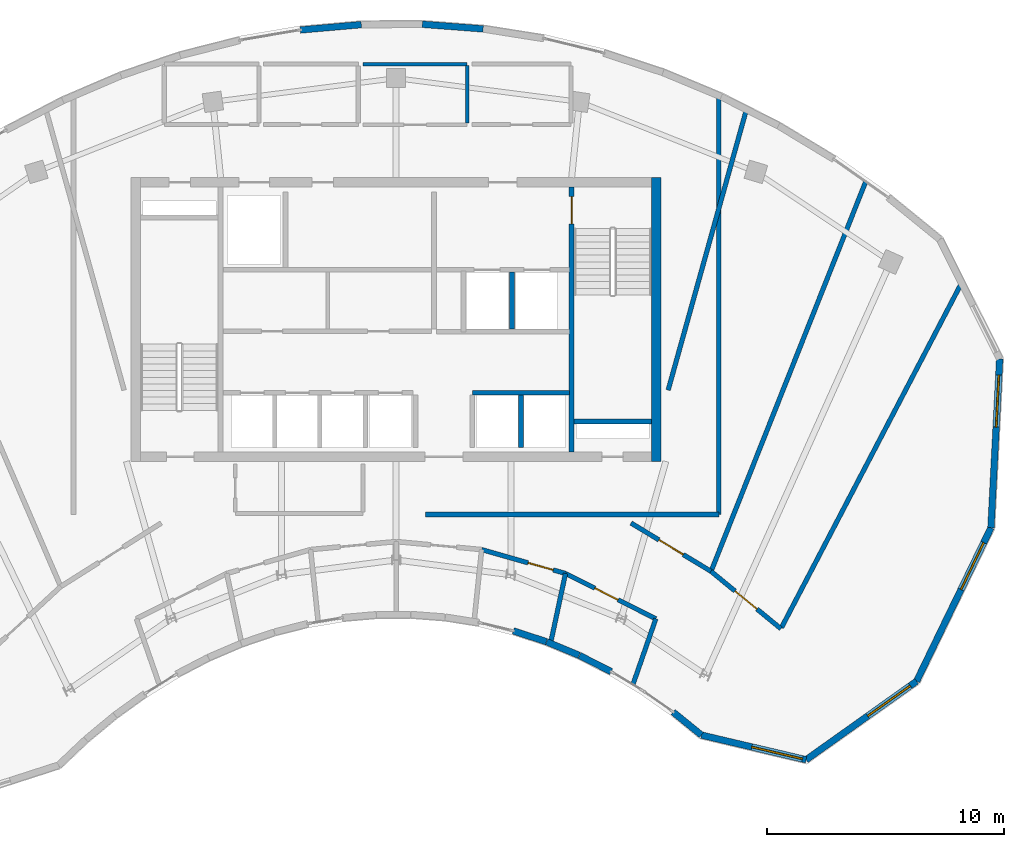
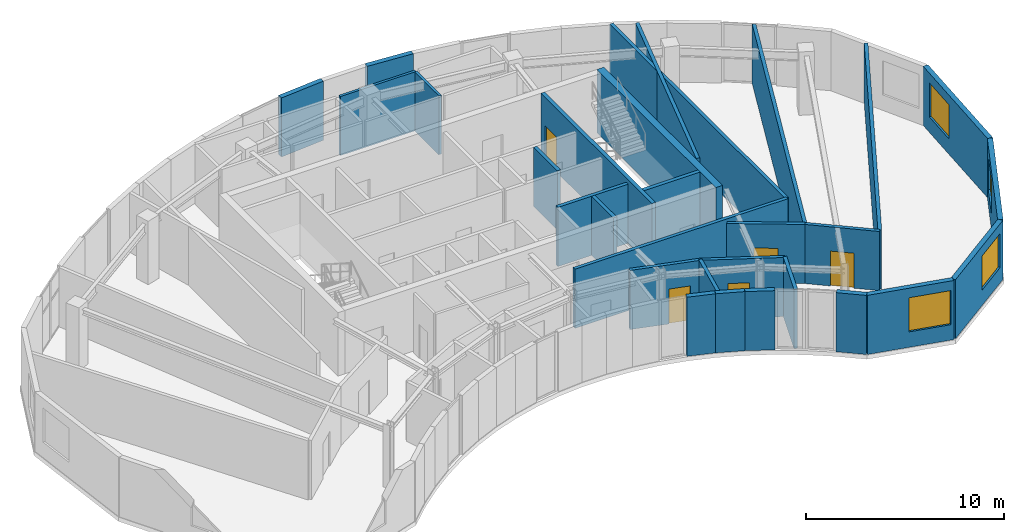
# One storey, part 7 of 9: 29 walls, 5 doors, 4 windows, 9 openings.
"""IFC4 building model written with IfcOpenShell, lengths in metres."""

from ifc_helpers import new_model, si_unit, direction, frame, frame_2d, origin, place, context, subcontext, project, spatial, rectangle, extrude, source, transform, mapped, material, layer, layer_set, type_object, type_shapes, element, fill, save


model = new_model("IFC4")

# Units and contexts
model_context = context("Model", 3, precision=1e-05, world=origin(), true_north=direction((0.0, 1.0)))
body_context = subcontext(model_context, "Body", "Model", "MODEL_VIEW")
ifc_project = project(units=[si_unit("LENGTHUNIT", "METRE"), si_unit("AREAUNIT", "SQUARE_METRE"), si_unit("VOLUMEUNIT", "CUBIC_METRE"), si_unit("PLANEANGLEUNIT", "RADIAN"), si_unit("MASSUNIT", "GRAM", prefix="KILO")], contexts=[model_context])

# Site, building, storey
site_placement = place(None, origin())
site = spatial("IfcSite", under=ifc_project, at=site_placement, CompositionType="ELEMENT")
building_placement = place(site_placement, origin())
building = spatial("IfcBuilding", under=site, at=building_placement, Name="Breltana Convention Tower", CompositionType="ELEMENT")
storey_placement = place(building_placement, frame((0.0, 0.0, 283.5)))
storey = spatial("IfcBuildingStorey", under=building, at=storey_placement, Name="L69", CompositionType="ELEMENT", Elevation=283.5)

# Walls
ifc_material_1 = material(Name="Concrete C50/60", Category="concrete")
ifc_layer_1 = layer(ifc_material_1, 0.39990234375, Name="Concrete C50/60")
ifc_layer_set_1 = layer_set([ifc_layer_1], Name="Concrete C50/60")
wall_type_1 = type_object("IfcWallType", Name="SW-CORE-400", PredefinedType="SHEAR", material=ifc_layer_set_1)
shared_shape_1 = source(origin(), body_context, "Body", "SweptSolid", [
    extrude(rectangle(XDim=3.27001953125, YDim=0.219970703125, at=frame_2d((1.635009765625, 0.0))), origin(), (0.0, 0.0, 1.0), 3.89990234375),
])
wall_1_placement = place(storey_placement, frame((55.530029296875, 61.889892578125, 0.0), z_axis=(0.0, 0.0, 1.0), x_axis=(1.0, 0.0, 0.0)))
element("IfcWall", 1, at=wall_1_placement, inside=storey, type_object=wall_type_1, Name="L69 ST-2 Stairwell South Bearing Wall", PredefinedType="SHEAR", context=body_context, shape_type="MappedRepresentation", body=[
    mapped(shared_shape_1, transform((0.0, 0.0, 0.0), scale=1.0)),
])
shared_shape_2 = source(origin(), body_context, "Body", "SweptSolid", [
    extrude(rectangle(XDim=12.0, YDim=0.39990234375, at=frame_2d((6.0, 0.0))), origin(), (0.0, 0.0, 1.0), 3.89990234375),
])
wall_2_placement = place(storey_placement, frame((59.0, 60.199951171875, 0.0), z_axis=(0.0, 0.0, 1.0), x_axis=(0.0, 1.0, 0.0)))
element("IfcWall", 2, at=wall_2_placement, inside=storey, type_object=wall_type_1, Name="L69 East Core Shear Wall", PredefinedType="SHEAR", context=body_context, shape_type="MappedRepresentation", body=[
    mapped(shared_shape_2, transform((0.0, 0.0, 0.0), scale=1.0)),
])

# Wall, opening, door
shared_shape_3 = source(origin(), body_context, "Body", "SweptSolid", [
    extrude(rectangle(XDim=11.199951171875, YDim=0.219970703125, at=frame_2d((5.60009765625, 0.0))), origin(), (0.0, 0.0, 1.0), 3.89990234375),
])
wall_3_placement = place(storey_placement, frame((55.419921875, 60.60009765625, 0.0), z_axis=(0.0, 0.0, 1.0), x_axis=(0.0, 1.0, 0.0)))
wall_3 = element("IfcWall", 3, at=wall_3_placement, inside=storey, type_object=wall_type_1, Name="L69 Core East Stair Spine Wall", PredefinedType="SHEAR", context=body_context, shape_type="MappedRepresentation", body=[
    mapped(shared_shape_3, transform((0.0, 0.0, 0.0), scale=1.0)),
])
opening_1_placement = place(wall_3_placement, frame((9.64501953125, 0.0, 0.0)))
opening_1 = element("IfcOpeningElement", 4, at=opening_1_placement, cuts=wall_3, Name="Opening D-11", PredefinedType="OPENING", context=body_context, shape_type="SweptSolid", body=[
    extrude(rectangle(XDim=1.14990234375, YDim=2.14990234375, at=frame_2d((0.574951171875, 1.074951171875))), frame((0.0, 0.1201171875, 0.0), z_axis=(0.0, -1.0, 0.0), x_axis=(1.0, 0.0, 0.0)), (0.0, 0.0, 1.0), 0.239990234375),
])
ifc_material_2 = material(Name="Steel Stair Exit Door", Category="steel")
door_type_1 = type_object("IfcDoorType", Name="DR-FD120-1150", OperationType="NOTDEFINED", PredefinedType="DOOR", material=ifc_material_2)
shared_shape_4 = source(origin(), body_context, "Body", "SweptSolid", [
    extrude(rectangle(XDim=1.14990234375, YDim=2.14990234375, at=frame_2d((0.574951171875, 1.074951171875))), frame((0.0, 0.02490234375, 0.0), z_axis=(0.0, -1.0, 0.0), x_axis=(1.0, 0.0, 0.0)), (0.0, 0.0, 1.0), 0.050048828125),
])
type_shapes(door_type_1, [shared_shape_4])
door_1_placement = place(opening_1_placement, origin())
door_1 = element("IfcDoor", 5, at=door_1_placement, inside=storey, type_object=door_type_1, Name="L69 interior door D-L69-ST2", OperationType="SINGLE_SWING_LEFT", OverallHeight=2.14990234375, OverallWidth=1.14990234375, PredefinedType="DOOR", context=body_context, shape_type="MappedRepresentation", body=[
    mapped(shared_shape_4, transform((0.0, 0.0, 0.0), scale=1.0)),
])
fill(opening_1, door_1)

# Wall, opening, window
ifc_material_3 = material(Name="Limestone Buff Insulated Wall", Category="masonry")
ifc_layer_2 = layer(ifc_material_3, 0.280029296875, Name="Limestone Buff Insulated Wall")
ifc_layer_set_2 = layer_set([ifc_layer_2], Name="Limestone Buff Insulated Wall")
wall_type_2 = type_object("IfcWallType", Name="WL-EXT-NOSE-280", PredefinedType="SOLIDWALL", material=ifc_layer_set_2)
shared_shape_5 = source(origin(), body_context, "Body", "SweptSolid", [
    extrude(rectangle(XDim=7.151123046875, YDim=0.280029296875, at=frame_2d((3.57568359375, 0.0))), origin(), (0.0, 0.0, 1.0), 3.639892578125),
])
wall_4_placement = place(storey_placement, frame((73.516357421875, 64.540283203125, 0.0), z_axis=(0.0, 0.0, 1.0), x_axis=(-0.051449614265, -0.998675591567, 0.0)))
wall_4 = element("IfcWall", 6, at=wall_4_placement, inside=storey, type_object=wall_type_2, Name="L69 curved limestone nose wall E2", PredefinedType="SOLIDWALL", context=body_context, shape_type="MappedRepresentation", body=[
    mapped(shared_shape_5, transform((0.0, 0.0, 0.0), scale=1.0)),
])
opening_2_placement = place(wall_4_placement, frame((0.687744140625, 0.0, 0.949951171875)))
opening_2 = element("IfcOpeningElement", 7, at=opening_2_placement, cuts=wall_4, Name="Opening W-03", PredefinedType="OPENING", context=body_context, shape_type="SweptSolid", body=[
    extrude(rectangle(XDim=2.199951171875, YDim=2.10009765625, at=frame_2d((1.10009765625, 1.050048828125))), frame((0.0, 0.14990234375, 0.0), z_axis=(0.0, -1.0, 0.0), x_axis=(1.0, 0.0, 0.0)), (0.0, 0.0, 1.0), 0.300048828125),
])
ifc_material_4 = material(Name="Glass Low-E Insulated Window", Category="glass")
window_type = type_object("IfcWindowType", Name="WN-NOSE-2200X2100", PartitioningType="TRIPLE_PANEL_VERTICAL", PredefinedType="WINDOW", material=ifc_material_4)
shared_shape_6 = source(origin(), body_context, "Body", "SweptSolid", [
    extrude(rectangle(XDim=2.199951171875, YDim=2.10009765625, at=frame_2d((1.10009765625, 1.050048828125))), frame((0.0, 0.030029296875, 0.0), z_axis=(0.0, -1.0, 0.0), x_axis=(1.0, 0.0, 0.0)), (0.0, 0.0, 1.0), 0.06005859375),
])
type_shapes(window_type, [shared_shape_6])
window_1_placement = place(opening_2_placement, origin())
window_1 = element("IfcWindow", 8, at=window_1_placement, inside=storey, type_object=window_type, Name="L69 nose window E2", OverallHeight=2.10009765625, OverallWidth=2.199951171875, PartitioningType="TRIPLE_PANEL_VERTICAL", PredefinedType="WINDOW", context=body_context, shape_type="MappedRepresentation", body=[
    mapped(shared_shape_6, transform((0.0, 0.0, 0.0), scale=1.0)),
])
fill(opening_2, window_1)

shared_shape_7 = source(origin(), body_context, "Body", "SweptSolid", [
    extrude(rectangle(XDim=7.21142578125, YDim=0.280029296875, at=frame_2d((3.605712890625, 0.0))), origin(), (0.0, 0.0, 1.0), 3.639892578125),
])
wall_5_placement = place(storey_placement, frame((73.1484375, 57.398681640625, 0.0), z_axis=(0.0, 0.0, 1.0), x_axis=(-0.436088263006, -0.899903898685, 0.0)))
wall_5 = element("IfcWall", 9, at=wall_5_placement, inside=storey, type_object=wall_type_2, Name="L69 curved limestone nose wall E3", PredefinedType="SOLIDWALL", context=body_context, shape_type="MappedRepresentation", body=[
    mapped(shared_shape_7, transform((0.0, 0.0, 0.0), scale=1.0)),
])
opening_3_placement = place(wall_5_placement, frame((0.702880859375, 0.0, 0.949951171875)))
opening_3 = element("IfcOpeningElement", 10, at=opening_3_placement, cuts=wall_5, Name="Opening W-03", PredefinedType="OPENING", context=body_context, shape_type="SweptSolid", body=[
    extrude(rectangle(XDim=2.199951171875, YDim=2.10009765625, at=frame_2d((1.10009765625, 1.050048828125))), frame((0.0, 0.14990234375, 0.0), z_axis=(0.0, -1.0, 0.0), x_axis=(1.0, 0.0, 0.0)), (0.0, 0.0, 1.0), 0.300048828125),
])
window_2_placement = place(opening_3_placement, origin())
window_2 = element("IfcWindow", 11, at=window_2_placement, inside=storey, type_object=window_type, Name="L69 nose window E3", OverallHeight=2.10009765625, OverallWidth=2.199951171875, PartitioningType="TRIPLE_PANEL_VERTICAL", PredefinedType="WINDOW", context=body_context, shape_type="MappedRepresentation", body=[
    mapped(shared_shape_6, transform((0.0, 0.0, 0.0), scale=1.0)),
])
fill(opening_3, window_2)

shared_shape_8 = source(origin(), body_context, "Body", "SweptSolid", [
    extrude(rectangle(XDim=5.730712890625, YDim=0.280029296875, at=frame_2d((2.865234375, 0.0))), origin(), (0.0, 0.0, 1.0), 3.639892578125),
])
wall_6_placement = place(storey_placement, frame((70.003662109375, 50.9091796875, 0.0), z_axis=(0.0, 0.0, 1.0), x_axis=(-0.815021045908, -0.579431354629, 0.0)))
wall_6 = element("IfcWall", 12, at=wall_6_placement, inside=storey, type_object=wall_type_2, Name="L69 curved limestone nose wall E4", PredefinedType="SOLIDWALL", context=body_context, shape_type="MappedRepresentation", body=[
    mapped(shared_shape_8, transform((0.0, 0.0, 0.0), scale=1.0)),
])
opening_4_placement = place(wall_6_placement, frame((0.332763671875, 0.0, 0.949951171875)))
opening_4 = element("IfcOpeningElement", 13, at=opening_4_placement, cuts=wall_6, Name="Opening W-03", PredefinedType="OPENING", context=body_context, shape_type="SweptSolid", body=[
    extrude(rectangle(XDim=2.199951171875, YDim=2.10009765625, at=frame_2d((1.10009765625, 1.050048828125))), frame((0.0, 0.14990234375, 0.0), z_axis=(0.0, -1.0, 0.0), x_axis=(1.0, 0.0, 0.0)), (0.0, 0.0, 1.0), 0.300048828125),
])
window_3_placement = place(opening_4_placement, origin())
window_3 = element("IfcWindow", 14, at=window_3_placement, inside=storey, type_object=window_type, Name="L69 nose window E4", OverallHeight=2.10009765625, OverallWidth=2.199951171875, PartitioningType="TRIPLE_PANEL_VERTICAL", PredefinedType="WINDOW", context=body_context, shape_type="MappedRepresentation", body=[
    mapped(shared_shape_6, transform((0.0, 0.0, 0.0), scale=1.0)),
])
fill(opening_4, window_3)

shared_shape_9 = source(origin(), body_context, "Body", "SweptSolid", [
    extrude(rectangle(XDim=4.546630859375, YDim=0.280029296875, at=frame_2d((2.2734375, 0.0))), origin(), (0.0, 0.0, 1.0), 3.639892578125),
])
wall_7_placement = place(storey_placement, frame((65.3330078125, 47.588623046875, 0.0), z_axis=(0.0, 0.0, 1.0), x_axis=(-0.973332593516, 0.229398479505, 0.0)))
wall_7 = element("IfcWall", 15, at=wall_7_placement, inside=storey, type_object=wall_type_2, Name="L69 curved limestone nose wall E5", PredefinedType="SOLIDWALL", context=body_context, shape_type="MappedRepresentation", body=[
    mapped(shared_shape_9, transform((0.0, 0.0, 0.0), scale=1.0)),
])
opening_5_placement = place(wall_7_placement, frame((0.159912109375, 0.0, 0.949951171875)))
opening_5 = element("IfcOpeningElement", 16, at=opening_5_placement, cuts=wall_7, Name="Opening W-03", PredefinedType="OPENING", context=body_context, shape_type="SweptSolid", body=[
    extrude(rectangle(XDim=2.199951171875, YDim=2.10009765625, at=frame_2d((1.10009765625, 1.050048828125))), frame((0.0, 0.14990234375, 0.0), z_axis=(0.0, -1.0, 0.0), x_axis=(1.0, 0.0, 0.0)), (0.0, 0.0, 1.0), 0.300048828125),
])
window_4_placement = place(opening_5_placement, origin())
window_4 = element("IfcWindow", 17, at=window_4_placement, inside=storey, type_object=window_type, Name="L69 nose window E5", OverallHeight=2.10009765625, OverallWidth=2.199951171875, PartitioningType="TRIPLE_PANEL_VERTICAL", PredefinedType="WINDOW", context=body_context, shape_type="MappedRepresentation", body=[
    mapped(shared_shape_6, transform((0.0, 0.0, 0.0), scale=1.0)),
])
fill(opening_5, window_4)

# Walls
shared_shape_10 = source(origin(), body_context, "Body", "SweptSolid", [
    extrude(rectangle(XDim=1.54345703125, YDim=0.280029296875, at=frame_2d((0.771728515625, 0.0))), origin(), (0.0, 0.0, 1.0), 3.639892578125),
])
wall_8_placement = place(storey_placement, frame((60.90771484375, 48.631591796875, 0.0), z_axis=(0.0, 0.0, 1.0), x_axis=(-0.77582846857, 0.63094388606, 0.0)))
element("IfcWall", 18, at=wall_8_placement, inside=storey, type_object=wall_type_2, Name="L69 curved limestone nose wall E6", PredefinedType="SOLIDWALL", context=body_context, shape_type="MappedRepresentation", body=[
    mapped(shared_shape_10, transform((0.0, 0.0, 0.0), scale=1.0)),
])
shared_shape_11 = source(origin(), body_context, "Body", "SweptSolid", [
    extrude(rectangle(XDim=1.508544921875, YDim=0.280029296875, at=frame_2d((0.75439453125, 0.0))), origin(), (0.0, 0.0, 1.0), 3.639892578125),
])
wall_9_placement = place(storey_placement, frame((57.09375, 51.3154296875, 0.0), z_axis=(0.0, 0.0, 1.0), x_axis=(-0.89169189228, 0.452642871635, 0.0)))
element("IfcWall", 19, at=wall_9_placement, inside=storey, type_object=wall_type_2, Name="L69 curved limestone nose wall E7", PredefinedType="SOLIDWALL", context=body_context, shape_type="MappedRepresentation", body=[
    mapped(shared_shape_11, transform((0.0, 0.0, 0.0), scale=1.0)),
])
shared_shape_12 = source(origin(), body_context, "Body", "SweptSolid", [
    extrude(rectangle(XDim=1.48779296875, YDim=0.280029296875, at=frame_2d((0.743896484375, 0.0))), origin(), (0.0, 0.0, 1.0), 3.639892578125),
])
wall_10_placement = place(storey_placement, frame((55.736328125, 52.00390625, 0.0), z_axis=(0.0, 0.0, 1.0), x_axis=(-0.923261314935, 0.384172545017, 0.0)))
element("IfcWall", 20, at=wall_10_placement, inside=storey, type_object=wall_type_2, Name="L69 curved limestone nose wall E8", PredefinedType="SOLIDWALL", context=body_context, shape_type="MappedRepresentation", body=[
    mapped(shared_shape_12, transform((0.0, 0.0, 0.0), scale=1.0)),
])
shared_shape_13 = source(origin(), body_context, "Body", "SweptSolid", [
    extrude(rectangle(XDim=1.470458984375, YDim=0.280029296875, at=frame_2d((0.7353515625, 0.0))), origin(), (0.0, 0.0, 1.0), 3.639892578125),
])
wall_11_placement = place(storey_placement, frame((54.349609375, 52.580322265625, 0.0), z_axis=(0.0, 0.0, 1.0), x_axis=(-0.950248878954, 0.311491682145, 0.0)))
element("IfcWall", 21, at=wall_11_placement, inside=storey, type_object=wall_type_2, Name="L69 curved limestone nose wall E9", PredefinedType="SOLIDWALL", context=body_context, shape_type="MappedRepresentation", body=[
    mapped(shared_shape_13, transform((0.0, 0.0, 0.0), scale=1.0)),
])
shared_shape_14 = source(origin(), body_context, "Body", "SweptSolid", [
    extrude(rectangle(XDim=2.58251953125, YDim=0.280029296875, at=frame_2d((1.291259765625, 0.0))), origin(), (0.0, 0.0, 1.0), 3.639892578125),
])
wall_12_placement = place(storey_placement, frame((43.954345703125, 78.4423828125, 0.0), z_axis=(0.0, 0.0, 1.0), x_axis=(0.996168946569, 0.087449584851, 0.0)))
element("IfcWall", 22, at=wall_12_placement, inside=storey, type_object=wall_type_2, Name="L69 curved limestone nose wall E25", PredefinedType="SOLIDWALL", context=body_context, shape_type="MappedRepresentation", body=[
    mapped(shared_shape_14, transform((0.0, 0.0, 0.0), scale=1.0)),
])
shared_shape_15 = source(origin(), body_context, "Body", "SweptSolid", [
    extrude(rectangle(XDim=2.581298828125, YDim=0.280029296875, at=frame_2d((1.29052734375, 0.0))), origin(), (0.0, 0.0, 1.0), 3.639892578125),
])
wall_13_placement = place(storey_placement, frame((49.10498046875, 78.68359375, 0.0), z_axis=(0.0, 0.0, 1.0), x_axis=(0.997111514352, -0.075951484161, 0.0)))
element("IfcWall", 23, at=wall_13_placement, inside=storey, type_object=wall_type_2, Name="L69 curved limestone nose wall E27", PredefinedType="SOLIDWALL", context=body_context, shape_type="MappedRepresentation", body=[
    mapped(shared_shape_15, transform((0.0, 0.0, 0.0), scale=1.0)),
])
ifc_material_5 = material(Name="Autoclaved Aerated Concrete Block", Category="concrete")
ifc_layer_3 = layer(ifc_material_5, 0.199951171875, Name="Autoclaved Aerated Concrete Block")
ifc_layer_set_3 = layer_set([ifc_layer_3], Name="Autoclaved Aerated Concrete Block")
wall_type_3 = type_object("IfcWallType", Name="WL-SHAFT-200", PredefinedType="SOLIDWALL", material=ifc_layer_set_3)
shared_shape_16 = source(origin(), body_context, "Body", "SweptSolid", [
    extrude(rectangle(XDim=2.39990234375, YDim=0.199951171875, at=frame_2d((1.199951171875, 0.0))), origin(), (0.0, 0.0, 1.0), 3.639892578125),
])
wall_14_placement = place(storey_placement, frame((52.89990234375, 65.800048828125, 0.0), z_axis=(0.0, 0.0, 1.0), x_axis=(0.0, 1.0, 0.0)))
element("IfcWall", 24, at=wall_14_placement, inside=storey, type_object=wall_type_3, Name="L69 interior partition W-L69-FL-DIV", PredefinedType="SOLIDWALL", context=body_context, shape_type="MappedRepresentation", body=[
    mapped(shared_shape_16, transform((0.0, 0.0, 0.0), scale=1.0)),
])
shared_shape_17 = source(origin(), body_context, "Body", "SweptSolid", [
    extrude(rectangle(XDim=4.10009765625, YDim=0.199951171875, at=frame_2d((2.050048828125, 0.0))), origin(), (0.0, 0.0, 1.0), 3.639892578125),
])
wall_15_placement = place(storey_placement, frame((51.219970703125, 63.10009765625, 0.0), z_axis=(0.0, 0.0, 1.0), x_axis=(1.0, 0.0, 0.0)))
element("IfcWall", 25, at=wall_15_placement, inside=storey, type_object=wall_type_3, Name="L69 interior partition W-L69-SH-X-FRONT", PredefinedType="SOLIDWALL", context=body_context, shape_type="MappedRepresentation", body=[
    mapped(shared_shape_17, transform((0.0, 0.0, 0.0), scale=1.0)),
])
shared_shape_18 = source(origin(), body_context, "Body", "SweptSolid", [
    extrude(rectangle(XDim=2.199951171875, YDim=0.199951171875, at=frame_2d((1.10009765625, 0.0))), origin(), (0.0, 0.0, 1.0), 3.639892578125),
])
wall_16_placement = place(storey_placement, frame((53.280029296875, 60.800048828125, 0.0), z_axis=(0.0, 0.0, 1.0), x_axis=(0.0, 1.0, 0.0)))
element("IfcWall", 26, at=wall_16_placement, inside=storey, type_object=wall_type_3, Name="L69 interior partition W-L69-SH-X-DIV", PredefinedType="SOLIDWALL", context=body_context, shape_type="MappedRepresentation", body=[
    mapped(shared_shape_18, transform((0.0, 0.0, 0.0), scale=1.0)),
])
ifc_material_6 = material(Name="Gypsum Acoustic Drywall Partition")
ifc_layer_4 = layer(ifc_material_6, 0.14990234375, Name="Gypsum Acoustic Drywall Partition")
ifc_layer_set_4 = layer_set([ifc_layer_4], Name="Gypsum Acoustic Drywall Partition")
wall_type_4 = type_object("IfcWallType", Name="WL-PART-150", PredefinedType="PARTITIONING", material=ifc_layer_set_4)
shared_shape_19 = source(origin(), body_context, "Body", "SweptSolid", [
    extrude(rectangle(XDim=4.39990234375, YDim=0.14990234375, at=frame_2d((2.199951171875, 0.0))), origin(), (0.0, 0.0, 1.0), 3.639892578125),
])
wall_17_placement = place(storey_placement, frame((46.60009765625, 77.0, 0.0), z_axis=(0.0, 0.0, 1.0), x_axis=(1.0, 0.0, 0.0)))
element("IfcWall", 27, at=wall_17_placement, inside=storey, type_object=wall_type_4, Name="L69 interior partition W-L69-PNT-N", PredefinedType="PARTITIONING", context=body_context, shape_type="MappedRepresentation", body=[
    mapped(shared_shape_19, transform((0.0, 0.0, 0.0), scale=1.0)),
])
shared_shape_20 = source(origin(), body_context, "Body", "SweptSolid", [
    extrude(rectangle(XDim=2.425048828125, YDim=0.14990234375, at=frame_2d((1.21240234375, 0.0))), origin(), (0.0, 0.0, 1.0), 3.639892578125),
])
wall_18_placement = place(storey_placement, frame((51.0, 74.507568359375, 0.0), z_axis=(0.0, 0.0, 1.0), x_axis=(0.0, 1.0, 0.0)))
element("IfcWall", 28, at=wall_18_placement, inside=storey, type_object=wall_type_4, Name="L69 interior partition W-L69-PNT-E", PredefinedType="PARTITIONING", context=body_context, shape_type="MappedRepresentation", body=[
    mapped(shared_shape_20, transform((0.0, 0.0, 0.0), scale=1.0)),
])
ifc_material_7 = material(Name="Gypsum Acoustic Hotel Wall")
ifc_layer_5 = layer(ifc_material_7, 0.195068359375, Name="Gypsum Acoustic Hotel Wall")
ifc_layer_set_5 = layer_set([ifc_layer_5], Name="Gypsum Acoustic Hotel Wall")
wall_type_5 = type_object("IfcWallType", Name="WL-HOTEL-200", PredefinedType="PARTITIONING", material=ifc_layer_set_5)
shared_shape_21 = source(origin(), body_context, "Body", "SweptSolid", [
    extrude(rectangle(XDim=12.389892578125, YDim=0.195068359375, at=frame_2d((6.19482421875, 0.0))), origin(), (0.0, 0.0, 1.0), 3.639892578125),
])
wall_19_placement = place(storey_placement, frame((49.25, 57.9599609375, 0.0), z_axis=(0.0, 0.0, 1.0), x_axis=(1.0, 0.0, 0.0)))
element("IfcWall", 29, at=wall_19_placement, inside=storey, type_object=wall_type_5, Name="L69 interior partition W-L69-Z45-CSE", PredefinedType="PARTITIONING", context=body_context, shape_type="MappedRepresentation", body=[
    mapped(shared_shape_21, transform((0.0, 0.0, 0.0), scale=1.0)),
])

# Wall, opening, door
shared_shape_22 = source(origin(), body_context, "Body", "SweptSolid", [
    extrude(rectangle(XDim=4.270751953125, YDim=0.195068359375, at=frame_2d((2.13525390625, 0.0))), origin(), (0.0, 0.0, 1.0), 3.639892578125),
])
wall_20_placement = place(storey_placement, frame((55.1611328125, 55.464599609375, 0.0), z_axis=(0.0, 0.0, 1.0), x_axis=(0.894061035522, -0.447945158207, 0.0)))
wall_20 = element("IfcWall", 30, at=wall_20_placement, inside=storey, type_object=wall_type_5, Name="L69 interior partition W-L69-ES6-COR", PredefinedType="PARTITIONING", context=body_context, shape_type="MappedRepresentation", body=[
    mapped(shared_shape_22, transform((0.0, 0.0, 0.0), scale=1.0)),
])
opening_6_placement = place(wall_20_placement, frame((1.385498046875, 0.0, 0.0)))
opening_6 = element("IfcOpeningElement", 31, at=opening_6_placement, cuts=wall_20, Name="Opening D-12", PredefinedType="OPENING", context=body_context, shape_type="SweptSolid", body=[
    extrude(rectangle(XDim=1.10009765625, YDim=2.14990234375, at=frame_2d((0.550048828125, 1.074951171875))), frame((0.0, 0.107421875, 0.0), z_axis=(0.0, -1.0, 0.0), x_axis=(1.0, 0.0, 0.0)), (0.0, 0.0, 1.0), 0.215087890625),
])
ifc_material_8 = material(Name="Timber Oak Acoustic Door", Category="wood")
door_type_2 = type_object("IfcDoorType", Name="DR-INT-1100", OperationType="NOTDEFINED", PredefinedType="DOOR", material=ifc_material_8)
shared_shape_23 = source(origin(), body_context, "Body", "SweptSolid", [
    extrude(rectangle(XDim=1.10009765625, YDim=2.14990234375, at=frame_2d((0.550048828125, 1.074951171875))), frame((0.0, 0.02490234375, 0.0), z_axis=(0.0, -1.0, 0.0), x_axis=(1.0, 0.0, 0.0)), (0.0, 0.0, 1.0), 0.050048828125),
])
type_shapes(door_type_2, [shared_shape_23])
door_2_placement = place(opening_6_placement, origin())
door_2 = element("IfcDoor", 32, at=door_2_placement, inside=storey, type_object=door_type_2, Name="L69 interior door D-L69-ES6", OperationType="SINGLE_SWING_RIGHT", OverallHeight=2.14990234375, OverallWidth=1.10009765625, PredefinedType="DOOR", context=body_context, shape_type="MappedRepresentation", body=[
    mapped(shared_shape_23, transform((0.0, 0.0, 0.0), scale=1.0)),
])
fill(opening_6, door_2)

shared_shape_24 = source(origin(), body_context, "Body", "SweptSolid", [
    extrude(rectangle(XDim=3.6865234375, YDim=0.195068359375, at=frame_2d((1.84326171875, 0.0))), origin(), (0.0, 0.0, 1.0), 3.639892578125),
])
wall_21_placement = place(storey_placement, frame((51.61572265625, 56.474365234375, 0.0), z_axis=(0.0, 0.0, 1.0), x_axis=(0.961753532248, -0.27391630694, 0.0)))
wall_21 = element("IfcWall", 33, at=wall_21_placement, inside=storey, type_object=wall_type_5, Name="L69 interior partition W-L69-ES5-COR", PredefinedType="PARTITIONING", context=body_context, shape_type="MappedRepresentation", body=[
    mapped(shared_shape_24, transform((0.0, 0.0, 0.0), scale=1.0)),
])
opening_7_placement = place(wall_21_placement, frame((2.043212890625, 0.0, 0.0)))
opening_7 = element("IfcOpeningElement", 34, at=opening_7_placement, cuts=wall_21, Name="Opening D-12", PredefinedType="OPENING", context=body_context, shape_type="SweptSolid", body=[
    extrude(rectangle(XDim=1.10009765625, YDim=2.14990234375, at=frame_2d((0.550048828125, 1.074951171875))), frame((0.0, 0.107421875, 0.0), z_axis=(0.0, -1.0, 0.0), x_axis=(1.0, 0.0, 0.0)), (0.0, 0.0, 1.0), 0.215087890625),
])
door_3_placement = place(opening_7_placement, origin())
door_3 = element("IfcDoor", 35, at=door_3_placement, inside=storey, type_object=door_type_2, Name="L69 interior door D-L69-ES5", OperationType="SINGLE_SWING_LEFT", OverallHeight=2.14990234375, OverallWidth=1.10009765625, PredefinedType="DOOR", context=body_context, shape_type="MappedRepresentation", body=[
    mapped(shared_shape_23, transform((0.0, 0.0, 0.0), scale=1.0)),
])
fill(opening_7, door_3)

# Walls
shared_shape_25 = source(origin(), body_context, "Body", "SweptSolid", [
    extrude(rectangle(XDim=3.0146484375, YDim=0.195068359375, at=frame_2d((1.50732421875, 0.0))), origin(), (0.0, 0.0, 1.0), 3.639892578125),
])
wall_22_placement = place(storey_placement, frame((54.5302734375, 52.5166015625, 0.0), z_axis=(0.0, 0.0, 1.0), x_axis=(0.209258086484, 0.977860446711, 0.0)))
element("IfcWall", 36, at=wall_22_placement, inside=storey, type_object=wall_type_5, Name="L69 interior partition W-L69-ES5-RB", PredefinedType="PARTITIONING", context=body_context, shape_type="MappedRepresentation", body=[
    mapped(shared_shape_25, transform((0.0, 0.0, 0.0), scale=1.0)),
])
shared_shape_26 = source(origin(), body_context, "Body", "SweptSolid", [
    extrude(rectangle(XDim=2.94189453125, YDim=0.195068359375, at=frame_2d((1.470947265625, 0.0))), origin(), (0.0, 0.0, 1.0), 3.639892578125),
])
wall_23_placement = place(storey_placement, frame((58.0126953125, 50.77294921875, 0.0), z_axis=(0.0, 0.0, 1.0), x_axis=(0.328623620494, 0.944460965871, 0.0)))
element("IfcWall", 37, at=wall_23_placement, inside=storey, type_object=wall_type_5, Name="L69 interior partition W-L69-ES6-RB", PredefinedType="PARTITIONING", context=body_context, shape_type="MappedRepresentation", body=[
    mapped(shared_shape_26, transform((0.0, 0.0, 0.0), scale=1.0)),
])

# Wall, opening, door
shared_shape_27 = source(origin(), body_context, "Body", "SweptSolid", [
    extrude(rectangle(XDim=3.95068359375, YDim=0.195068359375, at=frame_2d((1.975341796875, 0.0))), origin(), (0.0, 0.0, 1.0), 3.639892578125),
])
wall_24_placement = place(storey_placement, frame((57.931884765625, 57.595703125, 0.0), z_axis=(0.0, 0.0, 1.0), x_axis=(0.856137696849, -0.51674775668, 0.0)))
wall_24 = element("IfcWall", 38, at=wall_24_placement, inside=storey, type_object=wall_type_5, Name="L69 interior partition W-L69-EXER1-COR", PredefinedType="PARTITIONING", context=body_context, shape_type="MappedRepresentation", body=[
    mapped(shared_shape_27, transform((0.0, 0.0, 0.0), scale=1.0)),
])
opening_8_placement = place(wall_24_placement, frame((1.37548828125, 0.0, 0.0)))
opening_8 = element("IfcOpeningElement", 39, at=opening_8_placement, cuts=wall_24, Name="Opening D-10", PredefinedType="OPENING", context=body_context, shape_type="SweptSolid", body=[
    extrude(rectangle(XDim=1.199951171875, YDim=2.14990234375, at=frame_2d((0.60009765625, 1.074951171875))), frame((0.0, 0.107421875, 0.0), z_axis=(0.0, -1.0, 0.0), x_axis=(1.0, 0.0, 0.0)), (0.0, 0.0, 1.0), 0.215087890625),
])
ifc_material_9 = material(Name="Timber Oak Veneer Fire Door", Category="wood")
door_type_3 = type_object("IfcDoorType", Name="DR-INT-1200", OperationType="NOTDEFINED", PredefinedType="DOOR", material=ifc_material_9)
shared_shape_28 = source(origin(), body_context, "Body", "SweptSolid", [
    extrude(rectangle(XDim=1.199951171875, YDim=2.14990234375, at=frame_2d((0.60009765625, 1.074951171875))), frame((0.0, 0.02490234375, 0.0), z_axis=(0.0, -1.0, 0.0), x_axis=(1.0, 0.0, 0.0)), (0.0, 0.0, 1.0), 0.050048828125),
])
type_shapes(door_type_3, [shared_shape_28])
door_4_placement = place(opening_8_placement, origin())
door_4 = element("IfcDoor", 40, at=door_4_placement, inside=storey, type_object=door_type_3, Name="L69 interior door D-L69-EXER1", OperationType="SINGLE_SWING_LEFT", OverallHeight=2.14990234375, OverallWidth=1.199951171875, PredefinedType="DOOR", context=body_context, shape_type="MappedRepresentation", body=[
    mapped(shared_shape_28, transform((0.0, 0.0, 0.0), scale=1.0)),
])
fill(opening_8, door_4)

# Walls
shared_shape_29 = source(origin(), body_context, "Body", "SweptSolid", [
    extrude(rectangle(XDim=12.306640625, YDim=0.195068359375, at=frame_2d((6.1533203125, 0.0))), origin(), (0.0, 0.0, 1.0), 3.639892578125),
])
wall_25_placement = place(storey_placement, frame((59.5, 63.2158203125, 0.0), z_axis=(0.0, 0.0, 1.0), x_axis=(0.268768150257, 0.96320490105, 0.0)))
element("IfcWall", 41, at=wall_25_placement, inside=storey, type_object=wall_type_5, Name="L69 interior partition W-L69-EXER1-RA", PredefinedType="PARTITIONING", context=body_context, shape_type="MappedRepresentation", body=[
    mapped(shared_shape_29, transform((0.0, 0.0, 0.0), scale=1.0)),
])
shared_shape_30 = source(origin(), body_context, "Body", "SweptSolid", [
    extrude(rectangle(XDim=17.663818359375, YDim=0.195068359375, at=frame_2d((8.83203125, 0.0))), origin(), (0.0, 0.0, 1.0), 3.639892578125),
])
wall_26_placement = place(storey_placement, frame((61.3330078125, 55.6015625, 0.0), z_axis=(0.0, 0.0, 1.0), x_axis=(0.368827513738, 0.929497856431, 0.0)))
element("IfcWall", 42, at=wall_26_placement, inside=storey, type_object=wall_type_5, Name="L69 interior partition W-L69-EXER1-RB", PredefinedType="PARTITIONING", context=body_context, shape_type="MappedRepresentation", body=[
    mapped(shared_shape_30, transform((0.0, 0.0, 0.0), scale=1.0)),
])

# Wall, opening, door
shared_shape_31 = source(origin(), body_context, "Body", "SweptSolid", [
    extrude(rectangle(XDim=3.8203125, YDim=0.195068359375, at=frame_2d((1.91015625, 0.0))), origin(), (0.0, 0.0, 1.0), 3.639892578125),
])
wall_27_placement = place(storey_placement, frame((61.314208984375, 55.55419921875, 0.0), z_axis=(0.0, 0.0, 1.0), x_axis=(0.772805728445, -0.63464266015, 0.0)))
wall_27 = element("IfcWall", 43, at=wall_27_placement, inside=storey, type_object=wall_type_5, Name="L69 interior partition W-L69-EXER2-COR", PredefinedType="PARTITIONING", context=body_context, shape_type="MappedRepresentation", body=[
    mapped(shared_shape_31, transform((0.0, 0.0, 0.0), scale=1.0)),
])
opening_9_placement = place(wall_27_placement, frame((1.31005859375, 0.0, 0.0)))
opening_9 = element("IfcOpeningElement", 44, at=opening_9_placement, cuts=wall_27, Name="Opening D-10", PredefinedType="OPENING", context=body_context, shape_type="SweptSolid", body=[
    extrude(rectangle(XDim=1.199951171875, YDim=2.14990234375, at=frame_2d((0.60009765625, 1.074951171875))), frame((0.0, 0.107421875, 0.0), z_axis=(0.0, -1.0, 0.0), x_axis=(1.0, 0.0, 0.0)), (0.0, 0.0, 1.0), 0.215087890625),
])
door_5_placement = place(opening_9_placement, origin())
door_5 = element("IfcDoor", 45, at=door_5_placement, inside=storey, type_object=door_type_3, Name="L69 interior door D-L69-EXER2", OperationType="SINGLE_SWING_RIGHT", OverallHeight=2.14990234375, OverallWidth=1.199951171875, PredefinedType="DOOR", context=body_context, shape_type="MappedRepresentation", body=[
    mapped(shared_shape_28, transform((0.0, 0.0, 0.0), scale=1.0)),
])
fill(opening_9, door_5)

# Walls
shared_shape_32 = source(origin(), body_context, "Body", "SweptSolid", [
    extrude(rectangle(XDim=16.4296875, YDim=0.195068359375, at=frame_2d((8.21484375, 0.0))), origin(), (0.0, 0.0, 1.0), 3.639892578125),
])
wall_28_placement = place(storey_placement, frame((64.28955078125, 53.173583984375, 0.0), z_axis=(0.0, 0.0, 1.0), x_axis=(0.463119459371, 0.886295868405, 0.0)))
element("IfcWall", 46, at=wall_28_placement, inside=storey, type_object=wall_type_5, Name="L69 interior partition W-L69-EXER2-RB", PredefinedType="PARTITIONING", context=body_context, shape_type="MappedRepresentation", body=[
    mapped(shared_shape_32, transform((0.0, 0.0, 0.0), scale=1.0)),
])
shared_shape_33 = source(origin(), body_context, "Body", "SweptSolid", [
    extrude(rectangle(XDim=17.693359375, YDim=0.195068359375, at=frame_2d((8.8466796875, 0.0))), origin(), (0.0, 0.0, 1.0), 3.639892578125),
])
wall_29_placement = place(storey_placement, frame((61.639892578125, 57.9599609375, 0.0), z_axis=(0.0, 0.0, 1.0), x_axis=(0.0, 1.0, 0.0)))
element("IfcWall", 47, at=wall_29_placement, inside=storey, type_object=wall_type_5, Name="L69 interior partition W-L69-EXER-CL", PredefinedType="PARTITIONING", context=body_context, shape_type="MappedRepresentation", body=[
    mapped(shared_shape_33, transform((0.0, 0.0, 0.0), scale=1.0)),
])

save(model, "model.ifc")
